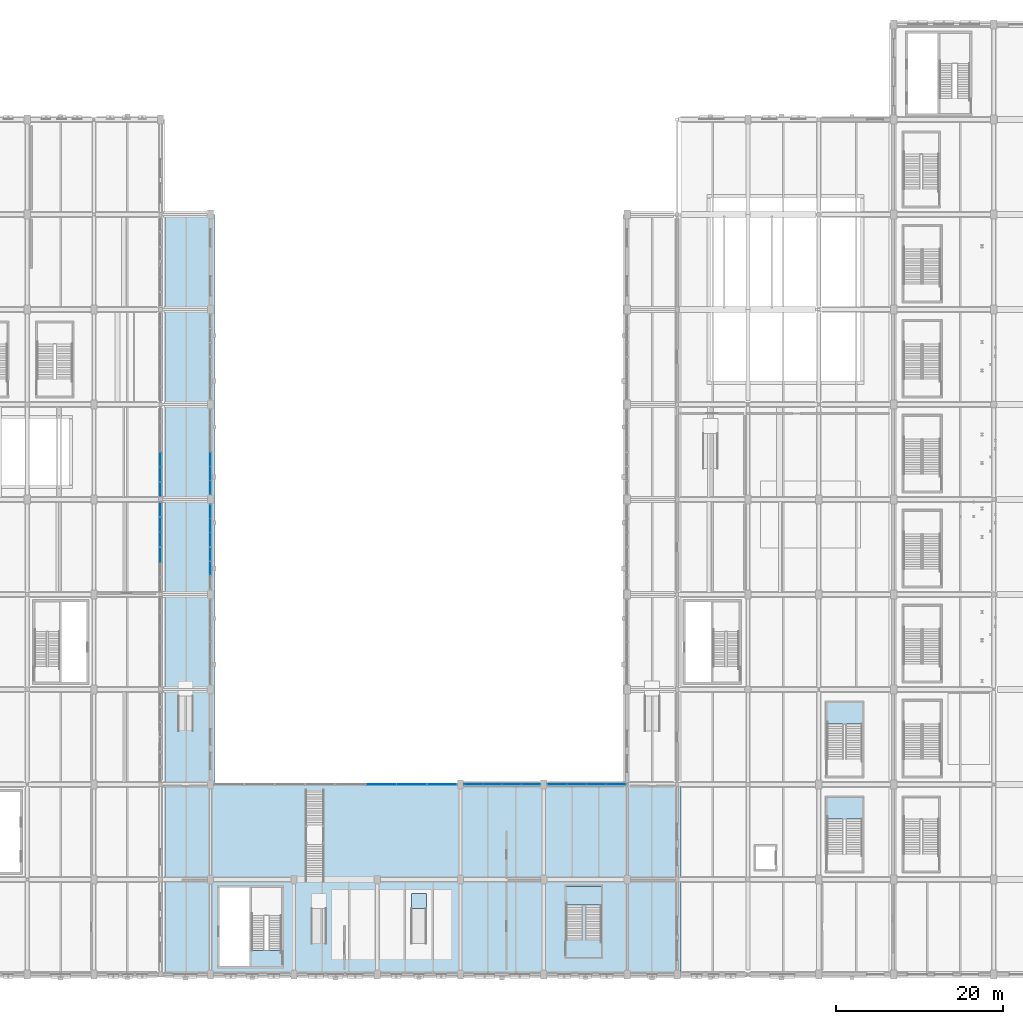
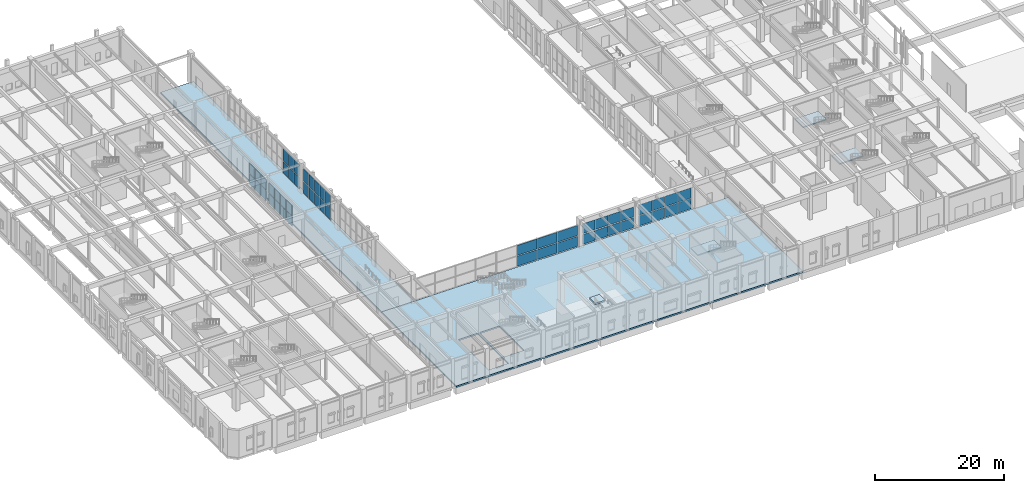
# One storey, part 74 of 113: 52 plates, 6 slabs, 12 elements without a shape of their own.
"""IFC4 building model written with IfcOpenShell, lengths in metres."""

import ifcopenshell
import ifcopenshell.guid

model = None  # the IFC model being written
_history = None  # IfcOwnerHistory: only IFC2X3 demands one
_inside = {}  # id of a spatial element -> (the spatial element, [elements in it])
_under = {}  # id of a project, library or spatial element -> (it, [spatial elements below it])
_declared = {}  # id of a project -> (the project, [libraries it declares])
_typed = {}  # id of a type object -> (the type object, [elements of that type])
_made_of = {}  # id of a material, layer set ... -> (it, [elements and type objects made of it])


def new_model(schema):
    """Start an empty IFC model of exactly this schema.

    Asked for "IFC4X3", IfcOpenShell would pick the latest addendum, in which some entities
    have other attributes; the version numbers below select the first issue.
    IFC2X3 requires an IfcOwnerHistory on every rooted entity: one is made here for all.
    """
    global model, _history
    if schema == "IFC4X3":
        model = ifcopenshell.file(schema_version=(4, 3, 0, 0))
    else:
        model = ifcopenshell.file(schema=schema)
    _inside.clear()
    _under.clear()
    _declared.clear()
    _typed.clear()
    _made_of.clear()
    _history = None
    if model.schema == "IFC2X3":
        org = make("IfcOrganization", Name="unknown")
        user = make(
            "IfcPersonAndOrganization",
            ThePerson=make("IfcPerson", FamilyName="unknown"),
            TheOrganization=org,
        )
        app = make(
            "IfcApplication",
            ApplicationDeveloper=org,
            Version="unknown",
            ApplicationFullName="unknown",
            ApplicationIdentifier="unknown",
        )
        _history = make(
            "IfcOwnerHistory",
            OwningUser=user,
            OwningApplication=app,
            ChangeAction="ADDED",
            CreationDate=0,
        )
    return model


def make(cls, **values):
    """One entity of the class cls with the attributes given. An attribute that is None is left unset."""
    return model.create_entity(
        cls, **{name: value for name, value in values.items() if value is not None}
    )


def rooted(cls, **values):
    """An entity with a GlobalId (a new one), such as an element, a storey or a relation."""
    return make(cls, GlobalId=ifcopenshell.guid.new(), OwnerHistory=_history, **values)


def si_unit(unit_type, name, prefix=None):
    """IfcSIUnit, for example si_unit("LENGTHUNIT", "METRE", prefix="MILLI")."""
    return make("IfcSIUnit", UnitType=unit_type, Prefix=prefix, Name=name)


def assignment(units):
    """IfcUnitAssignment: the units of a project."""
    return None if units is None else make("IfcUnitAssignment", Units=units)


def point(xyz):
    """IfcCartesianPoint."""
    return None if xyz is None else make("IfcCartesianPoint", Coordinates=xyz)


def direction(xyz):
    """IfcDirection."""
    return None if xyz is None else make("IfcDirection", DirectionRatios=xyz)


def frame(location, z_axis=None, x_axis=None):
    """IfcAxis2Placement3D, a coordinate frame: its origin and axes. An axis left out is left unset."""
    return make(
        "IfcAxis2Placement3D",
        Location=point(location),
        Axis=direction(z_axis),
        RefDirection=direction(x_axis),
    )


def frame_2d(location, x_axis=None):
    """IfcAxis2Placement2D, a coordinate frame in the plane: its origin and x axis."""
    return make(
        "IfcAxis2Placement2D", Location=point(location), RefDirection=direction(x_axis)
    )


def origin():
    """The frame at (0, 0, 0) with its axes left unset."""
    return frame((0.0, 0.0, 0.0))


def origin_2d():
    """The frame at (0, 0) in the plane with its x axis left unset."""
    return frame_2d((0.0, 0.0))


def place(relative_to, where):
    """IfcLocalPlacement: puts the frame where relative to a parent placement (None: the world)."""
    return make(
        "IfcLocalPlacement", PlacementRelTo=relative_to, RelativePlacement=where
    )


def context(
    kind, dimensions, precision=None, world=None, true_north=None, identifier=None
):
    """IfcGeometricRepresentationContext, for example the 3D "Model" context."""
    return make(
        "IfcGeometricRepresentationContext",
        ContextIdentifier=identifier,
        ContextType=kind,
        CoordinateSpaceDimension=dimensions,
        Precision=precision,
        WorldCoordinateSystem=world,
        TrueNorth=true_north,
    )


def subcontext(parent, identifier, kind, view, scale=None):
    """IfcGeometricRepresentationSubContext, for example "Body" below "Model"."""
    return make(
        "IfcGeometricRepresentationSubContext",
        ContextIdentifier=identifier,
        ContextType=kind,
        ParentContext=parent,
        TargetScale=scale,
        TargetView=view,
    )


def project(units=None, contexts=None):
    """IfcProject with its units and contexts."""
    return rooted(
        "IfcProject",
        Name="project",
        RepresentationContexts=contexts,
        UnitsInContext=assignment(units),
    )


def spatial(cls, under=None, at=None, **own):
    """A site, building, storey or space (cls), placed at a placement, below another one or the project."""
    s = rooted(cls, ObjectPlacement=at, **own)
    if under is not None:
        _under.setdefault(under.id(), (under, []))[1].append(s)
    return s


def polyline(points):
    """IfcPolyline through the points."""
    return make("IfcPolyline", Points=[point(p) for p in points])


def profile(cls, at=None, kind="AREA", **sizes):
    """A parametric profile (cls). Its sizes go by their IFC names, for example OverallWidth=200.0."""
    return make(cls, ProfileType=kind, Position=at, **sizes)


def rectangle(**sizes):
    """IfcRectangleProfileDef."""
    return profile("IfcRectangleProfileDef", **sizes)


def outline(outer, holes=None, kind="AREA"):
    """IfcArbitraryClosedProfileDef: a profile drawn as a closed curve; with holes, ...WithVoids."""
    if holes is None:
        return make("IfcArbitraryClosedProfileDef", ProfileType=kind, OuterCurve=outer)
    return make(
        "IfcArbitraryProfileDefWithVoids",
        ProfileType=kind,
        OuterCurve=outer,
        InnerCurves=holes,
    )


def extrude(swept, where, along, depth):
    """IfcExtrudedAreaSolid: the profile swept, set in the frame where, extruded along a direction by depth."""
    return make(
        "IfcExtrudedAreaSolid",
        SweptArea=swept,
        Position=where,
        ExtrudedDirection=direction(along),
        Depth=depth,
    )


def shape(context_of_items, identifier, shape_type, items):
    """IfcShapeRepresentation: the items that make up one representation, for example the "Body"."""
    return make(
        "IfcShapeRepresentation",
        ContextOfItems=context_of_items,
        RepresentationIdentifier=identifier,
        RepresentationType=shape_type,
        Items=items,
    )


def material(Name=None, Category=None):
    """IfcMaterial."""
    return make("IfcMaterial", Name=Name, Category=Category)


def layer(
    of_material, thickness, ventilated=None, Name=None, Category=None, Priority=None
):
    """IfcMaterialLayer: one layer of a wall or slab, of a material (None: an air gap)."""
    return make(
        "IfcMaterialLayer",
        Material=of_material,
        LayerThickness=thickness,
        IsVentilated=ventilated,
        Name=Name,
        Category=Category,
        Priority=Priority,
    )


def layer_set(layers, Name=None):
    """IfcMaterialLayerSet."""
    return make("IfcMaterialLayerSet", MaterialLayers=layers, LayerSetName=Name)


def made_of(thing, what):
    """Note that an element or type object is made of a material, layer set ...; save() writes the relation."""
    if what is not None:
        _made_of.setdefault(what.id(), (what, []))[1].append(thing)
    return thing


def type_object(cls, material=None, **own):
    """A type object (cls), such as IfcWallType, which elements share."""
    return made_of(rooted(cls, **own), material)


def element(
    cls,
    number,
    at=None,
    inside=None,
    cuts=None,
    type_object=None,
    material=None,
    context=None,
    identifier="Body",
    shape_type=None,
    held_by="IfcProductDefinitionShape",
    body=None,
    shapes=None,
    **own,
):
    """One element of the class cls, such as IfcWall. Its Tag is "e" and its number.

    at: its placement. inside: the storey or other place that contains it. cuts: it is an
    opening in that element (IfcRelVoidsElement). A single representation is given by context,
    identifier, shape_type and body (its items); several are given by shapes. held_by: the class
    of the entity that holds the representations. save() writes the other relations.
    """
    e = rooted(cls, Tag="e%d" % number, ObjectPlacement=at, **own)
    if body is not None:
        shapes = [shape(context, identifier, shape_type, body)]
    if shapes is not None:
        e.Representation = make(held_by, Representations=shapes)
    if inside is not None:
        _inside.setdefault(inside.id(), (inside, []))[1].append(e)
    if cuts is not None:
        rooted(
            "IfcRelVoidsElement", RelatingBuildingElement=cuts, RelatedOpeningElement=e
        )
    if type_object is not None:
        _typed.setdefault(type_object.id(), (type_object, []))[1].append(e)
    return made_of(e, material)


def aggregate(whole, parts):
    """IfcRelAggregates: a whole, such as a stair, and the parts it consists of."""
    return rooted("IfcRelAggregates", RelatingObject=whole, RelatedObjects=parts)


def save(model, path):
    """Write the relations noted so far, then the file.

    IfcRelAggregates (storeys below a building ...), IfcRelContainedInSpatialStructure (elements
    in a storey), IfcRelDefinesByType, IfcRelAssociatesMaterial and IfcRelDeclares: one each for
    every whole, place, type object, material and project.
    """
    for whole, parts in _under.values():
        aggregate(whole, parts)
    for where, things in _inside.values():
        rooted(
            "IfcRelContainedInSpatialStructure",
            RelatedElements=things,
            RelatingStructure=where,
        )
    for kind, things in _typed.values():
        rooted("IfcRelDefinesByType", RelatedObjects=things, RelatingType=kind)
    for what, things in _made_of.values():
        rooted("IfcRelAssociatesMaterial", RelatedObjects=things, RelatingMaterial=what)
    for by, libraries in _declared.values():
        rooted("IfcRelDeclares", RelatingContext=by, RelatedDefinitions=libraries)
    model.write(path)


model = new_model("IFC4")

# Units and contexts
model_context = context("Model", 3, precision=1e-05, world=origin(), true_north=direction((0.0, 1.0)))
body_context = subcontext(model_context, "Body", "Model", "MODEL_VIEW")
ifc_project = project(units=[si_unit("LENGTHUNIT", "METRE"), si_unit("AREAUNIT", "SQUARE_METRE"), si_unit("VOLUMEUNIT", "CUBIC_METRE"), si_unit("PLANEANGLEUNIT", "RADIAN"), si_unit("MASSUNIT", "GRAM", prefix="KILO"), si_unit("POWERUNIT", "WATT"), si_unit("THERMODYNAMICTEMPERATUREUNIT", "KELVIN")], contexts=[model_context])

# Site, building, storey
site_placement = place(None, origin())
site = spatial("IfcSite", under=ifc_project, at=site_placement, CompositionType="ELEMENT")
building_placement = place(site_placement, origin())
building = spatial("IfcBuilding", under=site, at=building_placement, Name="Kelmbourne Parkland Aquatics Centre", CompositionType="ELEMENT")
storey_placement = place(building_placement, origin())
storey = spatial("IfcBuildingStorey", under=building, at=storey_placement, Name="L00", CompositionType="ELEMENT", Elevation=0.0)

# Curtain wall, plates
ifc_material_1 = material(Name="Thermally broken anodised aluminium framing", Category="aluminium")
ifc_layer_1 = layer(ifc_material_1, 0.179931640625)
ifc_layer_set_1 = layer_set([ifc_layer_1], Name="Thermally broken anodised aluminium framing")
curtain_wall_type_1 = type_object("IfcCurtainWallType", Name="CW-02", PredefinedType="NOTDEFINED", material=ifc_layer_set_1)
curtain_wall_1_placement = place(storey_placement, origin())
curtain_wall_1 = element("IfcCurtainWall", 1, at=curtain_wall_1_placement, inside=storey, type_object=curtain_wall_type_1, Name="Facade curtain wall CW-L00-170", PredefinedType="NOTDEFINED")
ifc_material_2 = material(Name="Double-glazed low-e laminated safety glass", Category="glass")
ifc_layer_2 = layer(ifc_material_2, 0.02392578125)
ifc_layer_set_2 = layer_set([ifc_layer_2], Name="Double-glazed low-e laminated safety glass")
plate_type_1 = type_object("IfcPlateType", Name="PL-CWP-1", PredefinedType="CURTAIN_PANEL", material=ifc_layer_set_2)
plate_1_placement = place(storey_placement, frame((77.55712890625, 23.60009765625, 2.20654296875), z_axis=(0.0, 0.0, 1.0), x_axis=(1.0, 0.0, 0.0)))
plate_1 = element("IfcPlate", 2, at=plate_1_placement, type_object=plate_type_1, Name="CW-L00-170 vision glazing 1-0", PredefinedType="CURTAIN_PANEL", context=body_context, shape_type="SweptSolid", body=[
    extrude(rectangle(XDim=2.2421875, YDim=0.02392578125, at=origin_2d()), origin(), (0.0, 0.0, 1.0), 1.861572265625),
])
plate_2_placement = place(storey_placement, frame((79.852294921875, 23.60009765625, 2.20654296875), z_axis=(0.0, 0.0, 1.0), x_axis=(1.0, 0.0, 0.0)))
plate_2 = element("IfcPlate", 3, at=plate_2_placement, type_object=plate_type_1, Name="CW-L00-170 vision glazing 1-1", PredefinedType="CURTAIN_PANEL", context=body_context, shape_type="SweptSolid", body=[
    extrude(rectangle(XDim=2.2421875, YDim=0.02392578125, at=origin_2d()), origin(), (0.0, 0.0, 1.0), 1.861572265625),
])
plate_3_placement = place(storey_placement, frame((82.147705078125, 23.60009765625, 2.20654296875), z_axis=(0.0, 0.0, 1.0), x_axis=(1.0, 0.0, 0.0)))
plate_3 = element("IfcPlate", 4, at=plate_3_placement, type_object=plate_type_1, Name="CW-L00-170 vision glazing 1-2", PredefinedType="CURTAIN_PANEL", context=body_context, shape_type="SweptSolid", body=[
    extrude(rectangle(XDim=2.2421875, YDim=0.02392578125, at=origin_2d()), origin(), (0.0, 0.0, 1.0), 1.861572265625),
])
plate_4_placement = place(storey_placement, frame((84.44287109375, 23.60009765625, 2.20654296875), z_axis=(0.0, 0.0, 1.0), x_axis=(1.0, 0.0, 0.0)))
plate_4 = element("IfcPlate", 5, at=plate_4_placement, type_object=plate_type_1, Name="CW-L00-170 vision glazing 1-3", PredefinedType="CURTAIN_PANEL", context=body_context, shape_type="SweptSolid", body=[
    extrude(rectangle(XDim=2.2421875, YDim=0.02392578125, at=origin_2d()), origin(), (0.0, 0.0, 1.0), 1.861572265625),
])

ifc_layer_3 = layer(ifc_material_1, 0.179931640625)
ifc_layer_set_3 = layer_set([ifc_layer_3], Name="Thermally broken anodised aluminium framing")
curtain_wall_type_2 = type_object("IfcCurtainWallType", Name="CW-03", PredefinedType="NOTDEFINED", material=ifc_layer_set_3)
curtain_wall_2_placement = place(storey_placement, origin())
curtain_wall_2 = element("IfcCurtainWall", 6, at=curtain_wall_2_placement, inside=storey, type_object=curtain_wall_type_2, Name="Facade curtain wall CW-L00-171", PredefinedType="NOTDEFINED")
plate_5_placement = place(storey_placement, frame((87.592041015625, 23.60009765625, 0.1171875), z_axis=(0.0, 0.0, 1.0), x_axis=(1.0, 0.0, 0.0)))
plate_5 = element("IfcPlate", 7, at=plate_5_placement, type_object=plate_type_1, Name="CW-L00-171 vision glazing 0-0", PredefinedType="CURTAIN_PANEL", context=body_context, shape_type="SweptSolid", body=[
    extrude(rectangle(XDim=2.292236328125, YDim=0.02392578125, at=origin_2d()), origin(), (0.0, 0.0, 1.0), 1.951416015625),
])
plate_6_placement = place(storey_placement, frame((89.947509765625, 23.60009765625, 0.1171875), z_axis=(0.0, 0.0, 1.0), x_axis=(1.0, 0.0, 0.0)))
plate_6 = element("IfcPlate", 8, at=plate_6_placement, type_object=plate_type_1, Name="CW-L00-171 vision glazing 0-1", PredefinedType="CURTAIN_PANEL", context=body_context, shape_type="SweptSolid", body=[
    extrude(rectangle(XDim=2.292236328125, YDim=0.02392578125, at=origin_2d()), origin(), (0.0, 0.0, 1.0), 1.951416015625),
])
plate_7_placement = place(storey_placement, frame((92.302490234375, 23.60009765625, 0.1171875), z_axis=(0.0, 0.0, 1.0), x_axis=(1.0, 0.0, 0.0)))
plate_7 = element("IfcPlate", 9, at=plate_7_placement, type_object=plate_type_1, Name="CW-L00-171 vision glazing 0-2", PredefinedType="CURTAIN_PANEL", context=body_context, shape_type="SweptSolid", body=[
    extrude(rectangle(XDim=2.292236328125, YDim=0.02392578125, at=origin_2d()), origin(), (0.0, 0.0, 1.0), 1.951416015625),
])
plate_8_placement = place(storey_placement, frame((94.657958984375, 23.60009765625, 0.1171875), z_axis=(0.0, 0.0, 1.0), x_axis=(1.0, 0.0, 0.0)))
plate_8 = element("IfcPlate", 10, at=plate_8_placement, type_object=plate_type_1, Name="CW-L00-171 vision glazing 0-3", PredefinedType="CURTAIN_PANEL", context=body_context, shape_type="SweptSolid", body=[
    extrude(rectangle(XDim=2.292236328125, YDim=0.02392578125, at=origin_2d()), origin(), (0.0, 0.0, 1.0), 1.951416015625),
])

ifc_layer_4 = layer(ifc_material_1, 0.179931640625)
ifc_layer_set_4 = layer_set([ifc_layer_4], Name="Thermally broken anodised aluminium framing")
curtain_wall_type_3 = type_object("IfcCurtainWallType", Name="CW-06", PredefinedType="NOTDEFINED", material=ifc_layer_set_4)
curtain_wall_3_placement = place(storey_placement, origin())
curtain_wall_3 = element("IfcCurtainWall", 11, at=curtain_wall_3_placement, inside=storey, type_object=curtain_wall_type_3, Name="Facade curtain wall CW-L00-174", PredefinedType="NOTDEFINED")
plate_9_placement = place(storey_placement, frame((46.0, 49.52587890625, 0.1171875), z_axis=(0.0, 0.0, 1.0), x_axis=(0.0, 1.0, 0.0)))
plate_9 = element("IfcPlate", 12, at=plate_9_placement, type_object=plate_type_1, Name="CW-L00-174 vision glazing 0-1", PredefinedType="CURTAIN_PANEL", context=body_context, shape_type="SweptSolid", body=[
    extrude(rectangle(XDim=1.587890625, YDim=0.02392578125, at=origin_2d()), origin(), (0.0, 0.0, 1.0), 2.304931640625),
])
plate_10_placement = place(storey_placement, frame((46.0, 51.20703125, 0.1171875), z_axis=(0.0, 0.0, 1.0), x_axis=(0.0, 1.0, 0.0)))
plate_10 = element("IfcPlate", 13, at=plate_10_placement, type_object=plate_type_1, Name="CW-L00-174 vision glazing 0-2", PredefinedType="CURTAIN_PANEL", context=body_context, shape_type="SweptSolid", body=[
    extrude(rectangle(XDim=1.587890625, YDim=0.02392578125, at=origin_2d()), origin(), (0.0, 0.0, 1.0), 2.304931640625),
])

ifc_layer_5 = layer(ifc_material_1, 0.179931640625)
ifc_layer_set_5 = layer_set([ifc_layer_5], Name="Thermally broken anodised aluminium framing")
curtain_wall_type_4 = type_object("IfcCurtainWallType", Name="CW-08", PredefinedType="NOTDEFINED", material=ifc_layer_set_5)
curtain_wall_4_placement = place(storey_placement, origin())
curtain_wall_4 = element("IfcCurtainWall", 14, at=curtain_wall_4_placement, inside=storey, type_object=curtain_wall_type_4, Name="Facade curtain wall CW-L00-176", PredefinedType="NOTDEFINED")
plate_11_placement = place(storey_placement, frame((46.0, 59.235107421875, 2.56005859375), z_axis=(0.0, 0.0, 1.0), x_axis=(0.0, 1.0, 0.0)))
plate_11 = element("IfcPlate", 15, at=plate_11_placement, type_object=plate_type_1, Name="CW-L00-176 vision glazing 1-0", PredefinedType="CURTAIN_PANEL", context=body_context, shape_type="SweptSolid", body=[
    extrude(rectangle(XDim=1.6279296875, YDim=0.02392578125, at=origin_2d()), origin(), (0.0, 0.0, 1.0), 2.215087890625),
])
plate_12_placement = place(storey_placement, frame((46.0, 60.926025390625, 2.56005859375), z_axis=(0.0, 0.0, 1.0), x_axis=(0.0, 1.0, 0.0)))
plate_12 = element("IfcPlate", 16, at=plate_12_placement, type_object=plate_type_1, Name="CW-L00-176 vision glazing 1-1", PredefinedType="CURTAIN_PANEL", context=body_context, shape_type="SweptSolid", body=[
    extrude(rectangle(XDim=1.6279296875, YDim=0.02392578125, at=origin_2d()), origin(), (0.0, 0.0, 1.0), 2.215087890625),
])
plate_13_placement = place(storey_placement, frame((46.0, 62.616943359375, 2.56005859375), z_axis=(0.0, 0.0, 1.0), x_axis=(0.0, 1.0, 0.0)))
plate_13 = element("IfcPlate", 17, at=plate_13_placement, type_object=plate_type_1, Name="CW-L00-176 vision glazing 1-2", PredefinedType="CURTAIN_PANEL", context=body_context, shape_type="SweptSolid", body=[
    extrude(rectangle(XDim=1.6279296875, YDim=0.02392578125, at=origin_2d()), origin(), (0.0, 0.0, 1.0), 2.215087890625),
])

curtain_wall_5_placement = place(storey_placement, origin())
curtain_wall_5 = element("IfcCurtainWall", 18, at=curtain_wall_5_placement, inside=storey, type_object=curtain_wall_type_1, Name="Facade curtain wall CW-L00-218", PredefinedType="NOTDEFINED")
plate_14_placement = place(storey_placement, frame((40.0, 53.010498046875, 2.20654296875), z_axis=(0.0, 0.0, 1.0), x_axis=(0.0, 1.0, 0.0)))
plate_14 = element("IfcPlate", 19, at=plate_14_placement, type_object=plate_type_1, Name="CW-L00-218 vision glazing 1-0", PredefinedType="CURTAIN_PANEL", context=body_context, shape_type="SweptSolid", body=[
    extrude(rectangle(XDim=1.693115234375, YDim=0.02392578125, at=origin_2d()), origin(), (0.0, 0.0, 1.0), 1.861572265625),
])
plate_15_placement = place(storey_placement, frame((40.0, 54.78662109375, 2.20654296875), z_axis=(0.0, 0.0, 1.0), x_axis=(0.0, 1.0, 0.0)))
plate_15 = element("IfcPlate", 20, at=plate_15_placement, type_object=plate_type_1, Name="CW-L00-218 vision glazing 1-1", PredefinedType="CURTAIN_PANEL", context=body_context, shape_type="SweptSolid", body=[
    extrude(rectangle(XDim=1.693115234375, YDim=0.02392578125, at=origin_2d()), origin(), (0.0, 0.0, 1.0), 1.861572265625),
])
plate_16_placement = place(storey_placement, frame((40.0, 56.5625, 2.20654296875), z_axis=(0.0, 0.0, 1.0), x_axis=(0.0, 1.0, 0.0)))
plate_16 = element("IfcPlate", 21, at=plate_16_placement, type_object=plate_type_1, Name="CW-L00-218 vision glazing 1-2", PredefinedType="CURTAIN_PANEL", context=body_context, shape_type="SweptSolid", body=[
    extrude(rectangle(XDim=1.693115234375, YDim=0.02392578125, at=origin_2d()), origin(), (0.0, 0.0, 1.0), 1.861572265625),
])

curtain_wall_6_placement = place(storey_placement, origin())
curtain_wall_6 = element("IfcCurtainWall", 22, at=curtain_wall_6_placement, inside=storey, type_object=curtain_wall_type_2, Name="Facade curtain wall CW-L00-219", PredefinedType="NOTDEFINED")
plate_17_placement = place(storey_placement, frame((40.0, 59.040771484375, 0.1171875), z_axis=(0.0, 0.0, 1.0), x_axis=(0.0, 1.0, 0.0)))
plate_17 = element("IfcPlate", 23, at=plate_17_placement, type_object=plate_type_1, Name="CW-L00-219 vision glazing 0-0", PredefinedType="CURTAIN_PANEL", context=body_context, shape_type="SweptSolid", body=[
    extrude(rectangle(XDim=1.6796875, YDim=0.02392578125, at=origin_2d()), origin(), (0.0, 0.0, 1.0), 1.951416015625),
])
plate_18_placement = place(storey_placement, frame((40.0, 60.8134765625, 0.1171875), z_axis=(0.0, 0.0, 1.0), x_axis=(0.0, 1.0, 0.0)))
plate_18 = element("IfcPlate", 24, at=plate_18_placement, type_object=plate_type_1, Name="CW-L00-219 vision glazing 0-1", PredefinedType="CURTAIN_PANEL", context=body_context, shape_type="SweptSolid", body=[
    extrude(rectangle(XDim=1.6796875, YDim=0.02392578125, at=origin_2d()), origin(), (0.0, 0.0, 1.0), 1.951416015625),
])
plate_19_placement = place(storey_placement, frame((40.0, 62.586181640625, 0.1171875), z_axis=(0.0, 0.0, 1.0), x_axis=(0.0, 1.0, 0.0)))
plate_19 = element("IfcPlate", 25, at=plate_19_placement, type_object=plate_type_1, Name="CW-L00-219 vision glazing 0-2", PredefinedType="CURTAIN_PANEL", context=body_context, shape_type="SweptSolid", body=[
    extrude(rectangle(XDim=1.6796875, YDim=0.02392578125, at=origin_2d()), origin(), (0.0, 0.0, 1.0), 1.951416015625),
])

ifc_layer_6 = layer(ifc_material_1, 0.179931640625)
ifc_layer_set_6 = layer_set([ifc_layer_6], Name="Thermally broken anodised aluminium framing")
curtain_wall_type_5 = type_object("IfcCurtainWallType", Name="CW-01", PredefinedType="NOTDEFINED", material=ifc_layer_set_6)
curtain_wall_7_placement = place(storey_placement, origin())
curtain_wall_7 = element("IfcCurtainWall", 26, at=curtain_wall_7_placement, inside=storey, type_object=curtain_wall_type_5, Name="Facade curtain wall CW-L00-169", PredefinedType="NOTDEFINED")
ifc_layer_7 = layer(ifc_material_2, 0.035888671875)
ifc_layer_set_7 = layer_set([ifc_layer_7], Name="Double-glazed low-e laminated safety glass")
plate_type_2 = type_object("IfcPlateType", Name="PL-CWP-2", PredefinedType="CURTAIN_PANEL", material=ifc_layer_set_7)
plate_20_placement = place(storey_placement, frame((66.496826171875, 23.60009765625, 0.14697265625), z_axis=(0.0, 0.0, 1.0), x_axis=(1.0, 0.0, 0.0)))
plate_20 = element("IfcPlate", 27, at=plate_20_placement, type_object=plate_type_2, Name="CW-L00-169 vision glazing 0-1", PredefinedType="CURTAIN_PANEL", context=body_context, shape_type="SweptSolid", body=[
    extrude(rectangle(XDim=3.53662109375, YDim=0.035888671875, at=origin_2d()), origin(), (0.0, 0.0, 1.0), 1.906494140625),
])
plate_21_placement = place(storey_placement, frame((70.126220703125, 23.60009765625, 0.14697265625), z_axis=(0.0, 0.0, 1.0), x_axis=(1.0, 0.0, 0.0)))
plate_21 = element("IfcPlate", 28, at=plate_21_placement, type_object=plate_type_2, Name="CW-L00-169 vision glazing 0-2", PredefinedType="CURTAIN_PANEL", context=body_context, shape_type="SweptSolid", body=[
    extrude(rectangle(XDim=3.53662109375, YDim=0.035888671875, at=origin_2d()), origin(), (0.0, 0.0, 1.0), 1.906494140625),
])
plate_22_placement = place(storey_placement, frame((73.755859375, 23.60009765625, 0.14697265625), z_axis=(0.0, 0.0, 1.0), x_axis=(1.0, 0.0, 0.0)))
plate_22 = element("IfcPlate", 29, at=plate_22_placement, type_object=plate_type_2, Name="CW-L00-169 vision glazing 0-3", PredefinedType="CURTAIN_PANEL", context=body_context, shape_type="SweptSolid", body=[
    extrude(rectangle(XDim=3.53662109375, YDim=0.035888671875, at=origin_2d()), origin(), (0.0, 0.0, 1.0), 1.906494140625),
])

# Plate
plate_23_placement = place(storey_placement, frame((87.592041015625, 23.60009765625, 2.1767578125), z_axis=(0.0, 0.0, 1.0), x_axis=(1.0, 0.0, 0.0)))
plate_23 = element("IfcPlate", 30, at=plate_23_placement, type_object=plate_type_2, Name="CW-L00-171 vision glazing 1-0", PredefinedType="CURTAIN_PANEL", context=body_context, shape_type="SweptSolid", body=[
    extrude(rectangle(XDim=2.292236328125, YDim=0.035888671875, at=origin_2d()), origin(), (0.0, 0.0, 1.0), 1.951416015625),
])

plate_24_placement = place(storey_placement, frame((89.947509765625, 23.60009765625, 2.1767578125), z_axis=(0.0, 0.0, 1.0), x_axis=(1.0, 0.0, 0.0)))
plate_24 = element("IfcPlate", 31, at=plate_24_placement, type_object=plate_type_2, Name="CW-L00-171 vision glazing 1-1", PredefinedType="CURTAIN_PANEL", context=body_context, shape_type="SweptSolid", body=[
    extrude(rectangle(XDim=2.292236328125, YDim=0.035888671875, at=origin_2d()), origin(), (0.0, 0.0, 1.0), 1.951416015625),
])

plate_25_placement = place(storey_placement, frame((92.302490234375, 23.60009765625, 2.1767578125), z_axis=(0.0, 0.0, 1.0), x_axis=(1.0, 0.0, 0.0)))
plate_25 = element("IfcPlate", 32, at=plate_25_placement, type_object=plate_type_2, Name="CW-L00-171 vision glazing 1-2", PredefinedType="CURTAIN_PANEL", context=body_context, shape_type="SweptSolid", body=[
    extrude(rectangle(XDim=2.292236328125, YDim=0.035888671875, at=origin_2d()), origin(), (0.0, 0.0, 1.0), 1.951416015625),
])

plate_26_placement = place(storey_placement, frame((94.657958984375, 23.60009765625, 2.1767578125), z_axis=(0.0, 0.0, 1.0), x_axis=(1.0, 0.0, 0.0)))
plate_26 = element("IfcPlate", 33, at=plate_26_placement, type_object=plate_type_2, Name="CW-L00-171 vision glazing 1-3", PredefinedType="CURTAIN_PANEL", context=body_context, shape_type="SweptSolid", body=[
    extrude(rectangle(XDim=2.292236328125, YDim=0.035888671875, at=origin_2d()), origin(), (0.0, 0.0, 1.0), 1.951416015625),
])

aggregate(curtain_wall_2, [plate_5, plate_6, plate_7, plate_8, plate_23, plate_24, plate_25, plate_26])

plate_27_placement = place(storey_placement, frame((46.0, 49.52587890625, 2.5302734375), z_axis=(0.0, 0.0, 1.0), x_axis=(0.0, 1.0, 0.0)))
plate_27 = element("IfcPlate", 34, at=plate_27_placement, type_object=plate_type_2, Name="CW-L00-174 vision glazing 1-1", PredefinedType="CURTAIN_PANEL", context=body_context, shape_type="SweptSolid", body=[
    extrude(rectangle(XDim=1.587890625, YDim=0.035888671875, at=origin_2d()), origin(), (0.0, 0.0, 1.0), 2.304931640625),
])

plate_28_placement = place(storey_placement, frame((46.0, 51.20703125, 2.5302734375), z_axis=(0.0, 0.0, 1.0), x_axis=(0.0, 1.0, 0.0)))
plate_28 = element("IfcPlate", 35, at=plate_28_placement, type_object=plate_type_2, Name="CW-L00-174 vision glazing 1-2", PredefinedType="CURTAIN_PANEL", context=body_context, shape_type="SweptSolid", body=[
    extrude(rectangle(XDim=1.587890625, YDim=0.035888671875, at=origin_2d()), origin(), (0.0, 0.0, 1.0), 2.304931640625),
])

aggregate(curtain_wall_3, [plate_9, plate_10, plate_27, plate_28])

# Curtain wall, plates
ifc_layer_8 = layer(ifc_material_1, 0.179931640625)
ifc_layer_set_8 = layer_set([ifc_layer_8], Name="Thermally broken anodised aluminium framing")
curtain_wall_type_6 = type_object("IfcCurtainWallType", Name="CW-07", PredefinedType="NOTDEFINED", material=ifc_layer_set_8)
curtain_wall_8_placement = place(storey_placement, origin())
curtain_wall_8 = element("IfcCurtainWall", 36, at=curtain_wall_8_placement, inside=storey, type_object=curtain_wall_type_6, Name="Facade curtain wall CW-L00-175", PredefinedType="NOTDEFINED")
plate_29_placement = place(storey_placement, frame((46.0, 52.9794921875, 0.14697265625), z_axis=(0.0, 0.0, 1.0), x_axis=(0.0, 1.0, 0.0)))
plate_29 = element("IfcPlate", 37, at=plate_29_placement, type_object=plate_type_2, Name="CW-L00-175 vision glazing 0-0", PredefinedType="CURTAIN_PANEL", context=body_context, shape_type="SweptSolid", body=[
    extrude(rectangle(XDim=1.641357421875, YDim=0.035888671875, at=origin_2d()), origin(), (0.0, 0.0, 1.0), 2.260009765625),
])
plate_30_placement = place(storey_placement, frame((46.0, 54.674072265625, 0.14697265625), z_axis=(0.0, 0.0, 1.0), x_axis=(0.0, 1.0, 0.0)))
plate_30 = element("IfcPlate", 38, at=plate_30_placement, type_object=plate_type_2, Name="CW-L00-175 vision glazing 0-1", PredefinedType="CURTAIN_PANEL", context=body_context, shape_type="SweptSolid", body=[
    extrude(rectangle(XDim=1.641357421875, YDim=0.035888671875, at=origin_2d()), origin(), (0.0, 0.0, 1.0), 2.260009765625),
])
plate_31_placement = place(storey_placement, frame((46.0, 56.368408203125, 0.14697265625), z_axis=(0.0, 0.0, 1.0), x_axis=(0.0, 1.0, 0.0)))
plate_31 = element("IfcPlate", 39, at=plate_31_placement, type_object=plate_type_2, Name="CW-L00-175 vision glazing 0-2", PredefinedType="CURTAIN_PANEL", context=body_context, shape_type="SweptSolid", body=[
    extrude(rectangle(XDim=1.641357421875, YDim=0.035888671875, at=origin_2d()), origin(), (0.0, 0.0, 1.0), 2.260009765625),
])

# Curtain wall, plate
curtain_wall_9_placement = place(storey_placement, origin())
curtain_wall_9 = element("IfcCurtainWall", 40, at=curtain_wall_9_placement, inside=storey, type_object=curtain_wall_type_5, Name="Facade curtain wall CW-L00-217", PredefinedType="NOTDEFINED")
plate_32_placement = place(storey_placement, frame((40.0, 51.142822265625, 0.14697265625), z_axis=(0.0, 0.0, 1.0), x_axis=(0.0, 1.0, 0.0)))
plate_32 = element("IfcPlate", 41, at=plate_32_placement, type_object=plate_type_2, Name="CW-L00-217 vision glazing 0-2", PredefinedType="CURTAIN_PANEL", context=body_context, shape_type="SweptSolid", body=[
    extrude(rectangle(XDim=1.706298828125, YDim=0.035888671875, at=origin_2d()), origin(), (0.0, 0.0, 1.0), 1.906494140625),
])

# Plate
plate_33_placement = place(storey_placement, frame((40.0, 59.040771484375, 2.1767578125), z_axis=(0.0, 0.0, 1.0), x_axis=(0.0, 1.0, 0.0)))
plate_33 = element("IfcPlate", 42, at=plate_33_placement, type_object=plate_type_2, Name="CW-L00-219 vision glazing 1-0", PredefinedType="CURTAIN_PANEL", context=body_context, shape_type="SweptSolid", body=[
    extrude(rectangle(XDim=1.6796875, YDim=0.035888671875, at=origin_2d()), origin(), (0.0, 0.0, 1.0), 1.951416015625),
])

plate_34_placement = place(storey_placement, frame((40.0, 60.8134765625, 2.1767578125), z_axis=(0.0, 0.0, 1.0), x_axis=(0.0, 1.0, 0.0)))
plate_34 = element("IfcPlate", 43, at=plate_34_placement, type_object=plate_type_2, Name="CW-L00-219 vision glazing 1-1", PredefinedType="CURTAIN_PANEL", context=body_context, shape_type="SweptSolid", body=[
    extrude(rectangle(XDim=1.6796875, YDim=0.035888671875, at=origin_2d()), origin(), (0.0, 0.0, 1.0), 1.951416015625),
])

plate_35_placement = place(storey_placement, frame((40.0, 62.586181640625, 2.1767578125), z_axis=(0.0, 0.0, 1.0), x_axis=(0.0, 1.0, 0.0)))
plate_35 = element("IfcPlate", 44, at=plate_35_placement, type_object=plate_type_2, Name="CW-L00-219 vision glazing 1-2", PredefinedType="CURTAIN_PANEL", context=body_context, shape_type="SweptSolid", body=[
    extrude(rectangle(XDim=1.6796875, YDim=0.035888671875, at=origin_2d()), origin(), (0.0, 0.0, 1.0), 1.951416015625),
])

aggregate(curtain_wall_6, [plate_17, plate_18, plate_19, plate_33, plate_34, plate_35])

ifc_layer_9 = layer(ifc_material_2, 0.048095703125)
ifc_layer_set_9 = layer_set([ifc_layer_9], Name="Double-glazed low-e laminated safety glass")
plate_type_3 = type_object("IfcPlateType", Name="PL-CWP-3", PredefinedType="CURTAIN_PANEL", material=ifc_layer_set_9)
plate_36_placement = place(storey_placement, frame((66.496826171875, 23.60009765625, 2.19140625), z_axis=(0.0, 0.0, 1.0), x_axis=(1.0, 0.0, 0.0)))
plate_36 = element("IfcPlate", 45, at=plate_36_placement, type_object=plate_type_3, Name="CW-L00-169 vision glazing 1-1", PredefinedType="CURTAIN_PANEL", context=body_context, shape_type="SweptSolid", body=[
    extrude(rectangle(XDim=3.53662109375, YDim=0.048095703125, at=origin_2d()), origin(), (0.0, 0.0, 1.0), 1.906494140625),
])

plate_37_placement = place(storey_placement, frame((70.126220703125, 23.60009765625, 2.19140625), z_axis=(0.0, 0.0, 1.0), x_axis=(1.0, 0.0, 0.0)))
plate_37 = element("IfcPlate", 46, at=plate_37_placement, type_object=plate_type_3, Name="CW-L00-169 vision glazing 1-2", PredefinedType="CURTAIN_PANEL", context=body_context, shape_type="SweptSolid", body=[
    extrude(rectangle(XDim=3.53662109375, YDim=0.048095703125, at=origin_2d()), origin(), (0.0, 0.0, 1.0), 1.906494140625),
])

plate_38_placement = place(storey_placement, frame((73.755859375, 23.60009765625, 2.19140625), z_axis=(0.0, 0.0, 1.0), x_axis=(1.0, 0.0, 0.0)))
plate_38 = element("IfcPlate", 47, at=plate_38_placement, type_object=plate_type_3, Name="CW-L00-169 vision glazing 1-3", PredefinedType="CURTAIN_PANEL", context=body_context, shape_type="SweptSolid", body=[
    extrude(rectangle(XDim=3.53662109375, YDim=0.048095703125, at=origin_2d()), origin(), (0.0, 0.0, 1.0), 1.906494140625),
])

aggregate(curtain_wall_7, [plate_20, plate_21, plate_22, plate_36, plate_37, plate_38])

plate_39_placement = place(storey_placement, frame((77.55712890625, 23.60009765625, 0.17724609375), z_axis=(0.0, 0.0, 1.0), x_axis=(1.0, 0.0, 0.0)))
plate_39 = element("IfcPlate", 48, at=plate_39_placement, type_object=plate_type_3, Name="CW-L00-170 vision glazing 0-0", PredefinedType="CURTAIN_PANEL", context=body_context, shape_type="SweptSolid", body=[
    extrude(rectangle(XDim=2.2421875, YDim=0.048095703125, at=origin_2d()), origin(), (0.0, 0.0, 1.0), 1.861572265625),
])

plate_40_placement = place(storey_placement, frame((79.852294921875, 23.60009765625, 0.17724609375), z_axis=(0.0, 0.0, 1.0), x_axis=(1.0, 0.0, 0.0)))
plate_40 = element("IfcPlate", 49, at=plate_40_placement, type_object=plate_type_3, Name="CW-L00-170 vision glazing 0-1", PredefinedType="CURTAIN_PANEL", context=body_context, shape_type="SweptSolid", body=[
    extrude(rectangle(XDim=2.2421875, YDim=0.048095703125, at=origin_2d()), origin(), (0.0, 0.0, 1.0), 1.861572265625),
])

plate_41_placement = place(storey_placement, frame((82.147705078125, 23.60009765625, 0.17724609375), z_axis=(0.0, 0.0, 1.0), x_axis=(1.0, 0.0, 0.0)))
plate_41 = element("IfcPlate", 50, at=plate_41_placement, type_object=plate_type_3, Name="CW-L00-170 vision glazing 0-2", PredefinedType="CURTAIN_PANEL", context=body_context, shape_type="SweptSolid", body=[
    extrude(rectangle(XDim=2.2421875, YDim=0.048095703125, at=origin_2d()), origin(), (0.0, 0.0, 1.0), 1.861572265625),
])

plate_42_placement = place(storey_placement, frame((84.44287109375, 23.60009765625, 0.17724609375), z_axis=(0.0, 0.0, 1.0), x_axis=(1.0, 0.0, 0.0)))
plate_42 = element("IfcPlate", 51, at=plate_42_placement, type_object=plate_type_3, Name="CW-L00-170 vision glazing 0-3", PredefinedType="CURTAIN_PANEL", context=body_context, shape_type="SweptSolid", body=[
    extrude(rectangle(XDim=2.2421875, YDim=0.048095703125, at=origin_2d()), origin(), (0.0, 0.0, 1.0), 1.861572265625),
])

aggregate(curtain_wall_1, [plate_39, plate_40, plate_41, plate_42, plate_1, plate_2, plate_3, plate_4])

plate_43_placement = place(storey_placement, frame((46.0, 52.9794921875, 2.544921875), z_axis=(0.0, 0.0, 1.0), x_axis=(0.0, 1.0, 0.0)))
plate_43 = element("IfcPlate", 52, at=plate_43_placement, type_object=plate_type_3, Name="CW-L00-175 vision glazing 1-0", PredefinedType="CURTAIN_PANEL", context=body_context, shape_type="SweptSolid", body=[
    extrude(rectangle(XDim=1.641357421875, YDim=0.048095703125, at=origin_2d()), origin(), (0.0, 0.0, 1.0), 2.260009765625),
])

plate_44_placement = place(storey_placement, frame((46.0, 54.674072265625, 2.544921875), z_axis=(0.0, 0.0, 1.0), x_axis=(0.0, 1.0, 0.0)))
plate_44 = element("IfcPlate", 53, at=plate_44_placement, type_object=plate_type_3, Name="CW-L00-175 vision glazing 1-1", PredefinedType="CURTAIN_PANEL", context=body_context, shape_type="SweptSolid", body=[
    extrude(rectangle(XDim=1.641357421875, YDim=0.048095703125, at=origin_2d()), origin(), (0.0, 0.0, 1.0), 2.260009765625),
])

plate_45_placement = place(storey_placement, frame((46.0, 56.368408203125, 2.544921875), z_axis=(0.0, 0.0, 1.0), x_axis=(0.0, 1.0, 0.0)))
plate_45 = element("IfcPlate", 54, at=plate_45_placement, type_object=plate_type_3, Name="CW-L00-175 vision glazing 1-2", PredefinedType="CURTAIN_PANEL", context=body_context, shape_type="SweptSolid", body=[
    extrude(rectangle(XDim=1.641357421875, YDim=0.048095703125, at=origin_2d()), origin(), (0.0, 0.0, 1.0), 2.260009765625),
])

aggregate(curtain_wall_8, [plate_29, plate_30, plate_31, plate_43, plate_44, plate_45])

plate_46_placement = place(storey_placement, frame((46.0, 59.235107421875, 0.1767578125), z_axis=(0.0, 0.0, 1.0), x_axis=(0.0, 1.0, 0.0)))
plate_46 = element("IfcPlate", 55, at=plate_46_placement, type_object=plate_type_3, Name="CW-L00-176 vision glazing 0-0", PredefinedType="CURTAIN_PANEL", context=body_context, shape_type="SweptSolid", body=[
    extrude(rectangle(XDim=1.6279296875, YDim=0.048095703125, at=origin_2d()), origin(), (0.0, 0.0, 1.0), 2.215087890625),
])

plate_47_placement = place(storey_placement, frame((46.0, 60.926025390625, 0.1767578125), z_axis=(0.0, 0.0, 1.0), x_axis=(0.0, 1.0, 0.0)))
plate_47 = element("IfcPlate", 56, at=plate_47_placement, type_object=plate_type_3, Name="CW-L00-176 vision glazing 0-1", PredefinedType="CURTAIN_PANEL", context=body_context, shape_type="SweptSolid", body=[
    extrude(rectangle(XDim=1.6279296875, YDim=0.048095703125, at=origin_2d()), origin(), (0.0, 0.0, 1.0), 2.215087890625),
])

plate_48_placement = place(storey_placement, frame((46.0, 62.616943359375, 0.1767578125), z_axis=(0.0, 0.0, 1.0), x_axis=(0.0, 1.0, 0.0)))
plate_48 = element("IfcPlate", 57, at=plate_48_placement, type_object=plate_type_3, Name="CW-L00-176 vision glazing 0-2", PredefinedType="CURTAIN_PANEL", context=body_context, shape_type="SweptSolid", body=[
    extrude(rectangle(XDim=1.6279296875, YDim=0.048095703125, at=origin_2d()), origin(), (0.0, 0.0, 1.0), 2.215087890625),
])

aggregate(curtain_wall_4, [plate_46, plate_47, plate_48, plate_11, plate_12, plate_13])

plate_49_placement = place(storey_placement, frame((40.0, 51.142822265625, 2.19140625), z_axis=(0.0, 0.0, 1.0), x_axis=(0.0, 1.0, 0.0)))
plate_49 = element("IfcPlate", 58, at=plate_49_placement, type_object=plate_type_3, Name="CW-L00-217 vision glazing 1-2", PredefinedType="CURTAIN_PANEL", context=body_context, shape_type="SweptSolid", body=[
    extrude(rectangle(XDim=1.706298828125, YDim=0.048095703125, at=origin_2d()), origin(), (0.0, 0.0, 1.0), 1.906494140625),
])

aggregate(curtain_wall_9, [plate_32, plate_49])

plate_50_placement = place(storey_placement, frame((40.0, 53.010498046875, 0.17724609375), z_axis=(0.0, 0.0, 1.0), x_axis=(0.0, 1.0, 0.0)))
plate_50 = element("IfcPlate", 59, at=plate_50_placement, type_object=plate_type_3, Name="CW-L00-218 vision glazing 0-0", PredefinedType="CURTAIN_PANEL", context=body_context, shape_type="SweptSolid", body=[
    extrude(rectangle(XDim=1.693115234375, YDim=0.048095703125, at=origin_2d()), origin(), (0.0, 0.0, 1.0), 1.861572265625),
])

plate_51_placement = place(storey_placement, frame((40.0, 54.78662109375, 0.17724609375), z_axis=(0.0, 0.0, 1.0), x_axis=(0.0, 1.0, 0.0)))
plate_51 = element("IfcPlate", 60, at=plate_51_placement, type_object=plate_type_3, Name="CW-L00-218 vision glazing 0-1", PredefinedType="CURTAIN_PANEL", context=body_context, shape_type="SweptSolid", body=[
    extrude(rectangle(XDim=1.693115234375, YDim=0.048095703125, at=origin_2d()), origin(), (0.0, 0.0, 1.0), 1.861572265625),
])

plate_52_placement = place(storey_placement, frame((40.0, 56.5625, 0.17724609375), z_axis=(0.0, 0.0, 1.0), x_axis=(0.0, 1.0, 0.0)))
plate_52 = element("IfcPlate", 61, at=plate_52_placement, type_object=plate_type_3, Name="CW-L00-218 vision glazing 0-2", PredefinedType="CURTAIN_PANEL", context=body_context, shape_type="SweptSolid", body=[
    extrude(rectangle(XDim=1.693115234375, YDim=0.048095703125, at=origin_2d()), origin(), (0.0, 0.0, 1.0), 1.861572265625),
])

aggregate(curtain_wall_5, [plate_50, plate_51, plate_52, plate_14, plate_15, plate_16])

# Slabs
ifc_material_3 = material(Name="Concrete C40/50", Category="concrete")
ifc_layer_10 = layer(ifc_material_3, 0.280029296875)
ifc_layer_set_10 = layer_set([ifc_layer_10], Name="Concrete C40/50")
slab_type_1 = type_object("IfcSlabType", Name="SL-F1", PredefinedType="FLOOR", material=ifc_layer_set_10)
slab_1_placement = place(storey_placement, frame((0.0, 0.0, -0.280029296875)))
element("IfcSlab", 62, at=slab_1_placement, inside=storey, type_object=slab_type_1, Name="L00 South entrance foyer floor slab", PredefinedType="FLOOR", context=body_context, shape_type="SweptSolid", body=[
    extrude(outline(polyline([(40.580078125, 0.5), (102.47998046875, 0.5), (102.47998046875, 23.60009765625), (40.580078125, 23.60009765625), (40.580078125, 0.5)]), holes=[polyline([(47.10009765625, 1.800048828125), (47.10009765625, 11.199951171875), (50.675048828125, 11.199951171875), (50.675048828125, 1.800048828125), (47.10009765625, 1.800048828125)]), polyline([(50.925048828125, 3.64990234375), (50.925048828125, 11.199951171875), (54.5, 11.199951171875), (54.5, 3.64990234375), (50.925048828125, 3.64990234375)])]), origin(), (0.0, 0.0, 1.0), 0.280029296875),
])
slab_2_placement = place(storey_placement, frame((0.0, 0.0, -0.280029296875)))
element("IfcSlab", 63, at=slab_2_placement, inside=storey, type_object=slab_type_1, Name="L00 West garden colonnade slab", PredefinedType="FLOOR", context=body_context, shape_type="SweptSolid", body=[
    extrude(outline(polyline([(46.5, 23.60009765625), (46.5, 92.0), (40.580078125, 92.0), (40.580078125, 23.60009765625), (46.5, 23.60009765625)])), origin(), (0.0, 0.0, 1.0), 0.280029296875),
])

# Stair, slab
stair_type_1 = type_object("IfcStairType", Name="ST-T31", PredefinedType="HALF_TURN_STAIR", material=ifc_material_3)
stair_1_placement = place(storey_placement, origin())
stair_1 = element("IfcStair", 64, at=stair_1_placement, inside=storey, type_object=stair_type_1, Name="South East Concourse Exit Stair (L00)", PredefinedType="HALF_TURN_STAIR")
ifc_layer_11 = layer(ifc_material_3, 0.199951171875)
ifc_layer_set_11 = layer_set([ifc_layer_11], Name="Concrete C40/50")
slab_type_2 = type_object("IfcSlabType", Name="SL-LND-20", PredefinedType="LANDING", material=ifc_layer_set_11)
slab_3_placement = place(storey_placement, frame((0.0, 0.0, 2.5)))
slab_3 = element("IfcSlab", 65, at=slab_3_placement, type_object=slab_type_2, Name="South East Concourse Exit Stair half-landing (L00)", PredefinedType="LANDING", context=body_context, shape_type="SweptSolid", body=[
    extrude(outline(polyline([(119.97998046875, 19.449951171875), (124.219970703125, 19.449951171875), (124.219970703125, 22.02001953125), (119.97998046875, 22.02001953125), (119.97998046875, 19.449951171875)])), origin(), (0.0, 0.0, 1.0), 0.199951171875),
])
aggregate(stair_1, [slab_3])

stair_type_2 = type_object("IfcStairType", Name="ST-T37", PredefinedType="HALF_TURN_STAIR", material=ifc_material_3)
stair_2_placement = place(storey_placement, origin())
stair_2 = element("IfcStair", 66, at=stair_2_placement, inside=storey, type_object=stair_type_2, Name="Foyer East Gallery Exit Stair (L00)", PredefinedType="HALF_TURN_STAIR")
slab_4_placement = place(storey_placement, frame((0.0, 0.0, 2.5)))
slab_4 = element("IfcSlab", 67, at=slab_4_placement, type_object=slab_type_2, Name="Foyer East Gallery Exit Stair half-landing (L00)", PredefinedType="LANDING", context=body_context, shape_type="SweptSolid", body=[
    extrude(outline(polyline([(88.679931640625, 9.10009765625), (92.919921875, 9.10009765625), (92.919921875, 11.3701171875), (88.679931640625, 11.3701171875), (88.679931640625, 9.10009765625)])), origin(), (0.0, 0.0, 1.0), 0.199951171875),
])
aggregate(stair_2, [slab_4])

stair_type_3 = type_object("IfcStairType", Name="ST-T38", PredefinedType="HALF_TURN_STAIR", material=ifc_material_3)
stair_3_placement = place(storey_placement, origin())
stair_3 = element("IfcStair", 68, at=stair_3_placement, inside=storey, type_object=stair_type_3, Name="East Club Terrace Exit Stair (L00)", PredefinedType="HALF_TURN_STAIR")
slab_5_placement = place(storey_placement, frame((0.0, 0.0, 2.5)))
slab_5 = element("IfcSlab", 69, at=slab_5_placement, type_object=slab_type_2, Name="East Club Terrace Exit Stair half-landing (L00)", PredefinedType="LANDING", context=body_context, shape_type="SweptSolid", body=[
    extrude(outline(polyline([(119.97998046875, 30.85009765625), (124.219970703125, 30.85009765625), (124.219970703125, 33.419921875), (119.97998046875, 33.419921875), (119.97998046875, 30.85009765625)])), origin(), (0.0, 0.0, 1.0), 0.199951171875),
])
aggregate(stair_3, [slab_5])

# Slab
slab_6_placement = place(storey_placement, frame((0.0, 0.0, 0.02001953125)))
element("IfcSlab", 70, at=slab_6_placement, inside=storey, type_object=slab_type_2, Name="South Entrance Accessible Ramp East upper plinth landing", PredefinedType="LANDING", context=body_context, shape_type="SweptSolid", body=[
    extrude(outline(polyline([(70.10009765625, 8.699951171875), (71.89990234375, 8.699951171875), (71.89990234375, 10.5), (70.10009765625, 10.5), (70.10009765625, 8.699951171875)])), origin(), (0.0, 0.0, 1.0), 0.280029296875),
])

save(model, "model.ifc")
